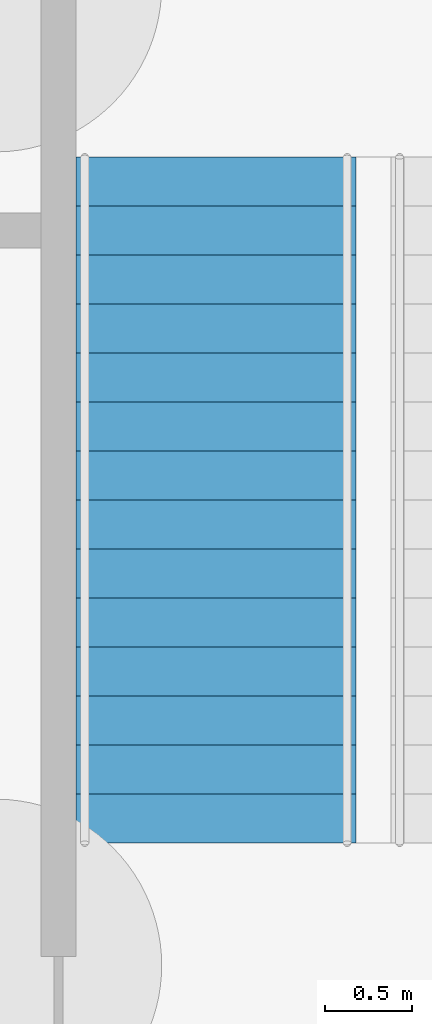
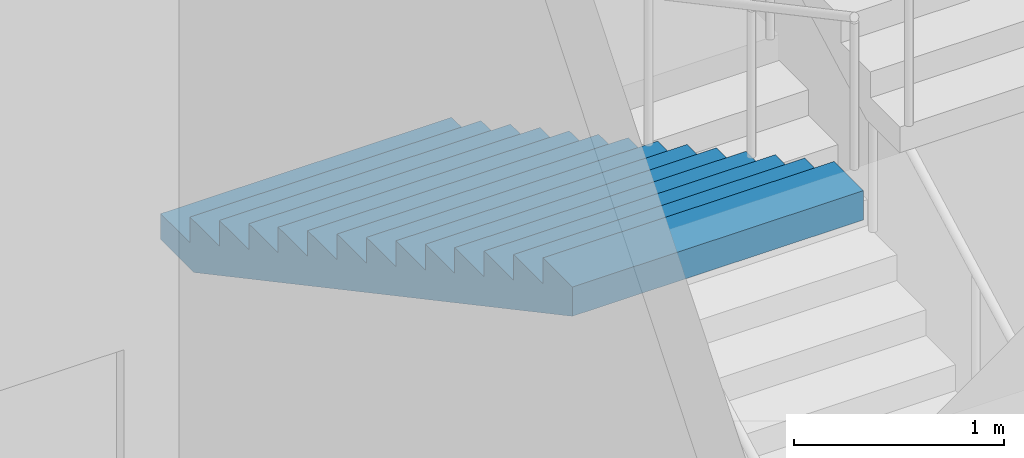
# One storey, part 104 of 113: 1 stair flight, 1 element without a shape of its own.
"""IFC4 building model written with IfcOpenShell, lengths in metres."""

import ifcopenshell
import ifcopenshell.guid

model = None  # the IFC model being written
_history = None  # IfcOwnerHistory: only IFC2X3 demands one
_inside = {}  # id of a spatial element -> (the spatial element, [elements in it])
_under = {}  # id of a project, library or spatial element -> (it, [spatial elements below it])
_declared = {}  # id of a project -> (the project, [libraries it declares])
_typed = {}  # id of a type object -> (the type object, [elements of that type])
_made_of = {}  # id of a material, layer set ... -> (it, [elements and type objects made of it])


def new_model(schema):
    """Start an empty IFC model of exactly this schema.

    Asked for "IFC4X3", IfcOpenShell would pick the latest addendum, in which some entities
    have other attributes; the version numbers below select the first issue.
    IFC2X3 requires an IfcOwnerHistory on every rooted entity: one is made here for all.
    """
    global model, _history
    if schema == "IFC4X3":
        model = ifcopenshell.file(schema_version=(4, 3, 0, 0))
    else:
        model = ifcopenshell.file(schema=schema)
    _inside.clear()
    _under.clear()
    _declared.clear()
    _typed.clear()
    _made_of.clear()
    _history = None
    if model.schema == "IFC2X3":
        org = make("IfcOrganization", Name="unknown")
        user = make(
            "IfcPersonAndOrganization",
            ThePerson=make("IfcPerson", FamilyName="unknown"),
            TheOrganization=org,
        )
        app = make(
            "IfcApplication",
            ApplicationDeveloper=org,
            Version="unknown",
            ApplicationFullName="unknown",
            ApplicationIdentifier="unknown",
        )
        _history = make(
            "IfcOwnerHistory",
            OwningUser=user,
            OwningApplication=app,
            ChangeAction="ADDED",
            CreationDate=0,
        )
    return model


def make(cls, **values):
    """One entity of the class cls with the attributes given. An attribute that is None is left unset."""
    return model.create_entity(
        cls, **{name: value for name, value in values.items() if value is not None}
    )


def rooted(cls, **values):
    """An entity with a GlobalId (a new one), such as an element, a storey or a relation."""
    return make(cls, GlobalId=ifcopenshell.guid.new(), OwnerHistory=_history, **values)


def si_unit(unit_type, name, prefix=None):
    """IfcSIUnit, for example si_unit("LENGTHUNIT", "METRE", prefix="MILLI")."""
    return make("IfcSIUnit", UnitType=unit_type, Prefix=prefix, Name=name)


def assignment(units):
    """IfcUnitAssignment: the units of a project."""
    return None if units is None else make("IfcUnitAssignment", Units=units)


def point(xyz):
    """IfcCartesianPoint."""
    return None if xyz is None else make("IfcCartesianPoint", Coordinates=xyz)


def direction(xyz):
    """IfcDirection."""
    return None if xyz is None else make("IfcDirection", DirectionRatios=xyz)


def frame(location, z_axis=None, x_axis=None):
    """IfcAxis2Placement3D, a coordinate frame: its origin and axes. An axis left out is left unset."""
    return make(
        "IfcAxis2Placement3D",
        Location=point(location),
        Axis=direction(z_axis),
        RefDirection=direction(x_axis),
    )


def origin():
    """The frame at (0, 0, 0) with its axes left unset."""
    return frame((0.0, 0.0, 0.0))


def place(relative_to, where):
    """IfcLocalPlacement: puts the frame where relative to a parent placement (None: the world)."""
    return make(
        "IfcLocalPlacement", PlacementRelTo=relative_to, RelativePlacement=where
    )


def context(
    kind, dimensions, precision=None, world=None, true_north=None, identifier=None
):
    """IfcGeometricRepresentationContext, for example the 3D "Model" context."""
    return make(
        "IfcGeometricRepresentationContext",
        ContextIdentifier=identifier,
        ContextType=kind,
        CoordinateSpaceDimension=dimensions,
        Precision=precision,
        WorldCoordinateSystem=world,
        TrueNorth=true_north,
    )


def subcontext(parent, identifier, kind, view, scale=None):
    """IfcGeometricRepresentationSubContext, for example "Body" below "Model"."""
    return make(
        "IfcGeometricRepresentationSubContext",
        ContextIdentifier=identifier,
        ContextType=kind,
        ParentContext=parent,
        TargetScale=scale,
        TargetView=view,
    )


def project(units=None, contexts=None):
    """IfcProject with its units and contexts."""
    return rooted(
        "IfcProject",
        Name="project",
        RepresentationContexts=contexts,
        UnitsInContext=assignment(units),
    )


def spatial(cls, under=None, at=None, **own):
    """A site, building, storey or space (cls), placed at a placement, below another one or the project."""
    s = rooted(cls, ObjectPlacement=at, **own)
    if under is not None:
        _under.setdefault(under.id(), (under, []))[1].append(s)
    return s


def point_list(points):
    """IfcCartesianPointList2D or 3D."""
    cls = (
        "IfcCartesianPointList2D" if len(points[0]) == 2 else "IfcCartesianPointList3D"
    )
    return make(cls, CoordList=points)


def triangles(points, corners, closed=None, point_numbers=None):
    """IfcTriangulatedFaceSet: each triangle names its three corners, points numbered from 1."""
    return make(
        "IfcTriangulatedFaceSet",
        Coordinates=point_list(points),
        Closed=closed,
        CoordIndex=corners,
        PnIndex=point_numbers,
    )


def shape(context_of_items, identifier, shape_type, items):
    """IfcShapeRepresentation: the items that make up one representation, for example the "Body"."""
    return make(
        "IfcShapeRepresentation",
        ContextOfItems=context_of_items,
        RepresentationIdentifier=identifier,
        RepresentationType=shape_type,
        Items=items,
    )


def material(Name=None, Category=None):
    """IfcMaterial."""
    return make("IfcMaterial", Name=Name, Category=Category)


def made_of(thing, what):
    """Note that an element or type object is made of a material, layer set ...; save() writes the relation."""
    if what is not None:
        _made_of.setdefault(what.id(), (what, []))[1].append(thing)
    return thing


def type_object(cls, material=None, **own):
    """A type object (cls), such as IfcWallType, which elements share."""
    return made_of(rooted(cls, **own), material)


def element(
    cls,
    number,
    at=None,
    inside=None,
    cuts=None,
    type_object=None,
    material=None,
    context=None,
    identifier="Body",
    shape_type=None,
    held_by="IfcProductDefinitionShape",
    body=None,
    shapes=None,
    **own,
):
    """One element of the class cls, such as IfcWall. Its Tag is "e" and its number.

    at: its placement. inside: the storey or other place that contains it. cuts: it is an
    opening in that element (IfcRelVoidsElement). A single representation is given by context,
    identifier, shape_type and body (its items); several are given by shapes. held_by: the class
    of the entity that holds the representations. save() writes the other relations.
    """
    e = rooted(cls, Tag="e%d" % number, ObjectPlacement=at, **own)
    if body is not None:
        shapes = [shape(context, identifier, shape_type, body)]
    if shapes is not None:
        e.Representation = make(held_by, Representations=shapes)
    if inside is not None:
        _inside.setdefault(inside.id(), (inside, []))[1].append(e)
    if cuts is not None:
        rooted(
            "IfcRelVoidsElement", RelatingBuildingElement=cuts, RelatedOpeningElement=e
        )
    if type_object is not None:
        _typed.setdefault(type_object.id(), (type_object, []))[1].append(e)
    return made_of(e, material)


def aggregate(whole, parts):
    """IfcRelAggregates: a whole, such as a stair, and the parts it consists of."""
    return rooted("IfcRelAggregates", RelatingObject=whole, RelatedObjects=parts)


def save(model, path):
    """Write the relations noted so far, then the file.

    IfcRelAggregates (storeys below a building ...), IfcRelContainedInSpatialStructure (elements
    in a storey), IfcRelDefinesByType, IfcRelAssociatesMaterial and IfcRelDeclares: one each for
    every whole, place, type object, material and project.
    """
    for whole, parts in _under.values():
        aggregate(whole, parts)
    for where, things in _inside.values():
        rooted(
            "IfcRelContainedInSpatialStructure",
            RelatedElements=things,
            RelatingStructure=where,
        )
    for kind, things in _typed.values():
        rooted("IfcRelDefinesByType", RelatedObjects=things, RelatingType=kind)
    for what, things in _made_of.values():
        rooted("IfcRelAssociatesMaterial", RelatedObjects=things, RelatingMaterial=what)
    for by, libraries in _declared.values():
        rooted("IfcRelDeclares", RelatingContext=by, RelatedDefinitions=libraries)
    model.write(path)


model = new_model("IFC4")

# Units and contexts
model_context = context("Model", 3, precision=1e-05, world=origin(), true_north=direction((0.0, 1.0)))
body_context = subcontext(model_context, "Body", "Model", "MODEL_VIEW")
ifc_project = project(units=[si_unit("LENGTHUNIT", "METRE"), si_unit("AREAUNIT", "SQUARE_METRE"), si_unit("VOLUMEUNIT", "CUBIC_METRE"), si_unit("PLANEANGLEUNIT", "RADIAN"), si_unit("MASSUNIT", "GRAM", prefix="KILO")], contexts=[model_context])

# Site, building, storey
site_placement = place(None, origin())
site = spatial("IfcSite", under=ifc_project, at=site_placement, CompositionType="ELEMENT")
building_placement = place(site_placement, origin())
building = spatial("IfcBuilding", under=site, at=building_placement, Name="Hakoniwa Tower and Hamabe Station Hall", CompositionType="ELEMENT")
storey_placement = place(building_placement, origin())
storey = spatial("IfcBuildingStorey", under=building, at=storey_placement, Name="L01", CompositionType="ELEMENT", Elevation=0.0)

# Stair, stair flight
ifc_material_1 = material(Name="Concrete C40", Category="concrete")
stair_type = type_object("IfcStairType", Name="STAIR 1600 15X150", PredefinedType="HALF_TURN_STAIR", material=ifc_material_1)
stair_placement = place(storey_placement, origin())
stair = element("IfcStair", 1, at=stair_placement, inside=storey, type_object=stair_type, Name="Escape stair SS2 L01", PredefinedType="HALF_TURN_STAIR")
ifc_material_2 = material(Name="Concrete C40", Category="concrete")
stair_flight_type = type_object("IfcStairFlightType", Name="STAIR FLIGHT 1600", PredefinedType="STRAIGHT", material=ifc_material_2)
stair_flight_placement = place(storey_placement, frame((165.85009765625, 20.820068359375, 2.25), z_axis=(0.0, 0.0, 1.0), x_axis=(0.0, -1.0, 0.0)))
stair_flight = element("IfcStairFlight", 2, at=stair_flight_placement, type_object=stair_flight_type, Name="SS2 flight 2", NumberOfRisers=15, NumberOfTreads=14, PredefinedType="STRAIGHT", RiserHeight=0.15, TreadLength=0.28, context=body_context, shape_type="Tessellation", body=[
    triangles([(0.0, 0.800048828125, 0.0), (0.280029296875, 0.800048828125, 0.0), (0.3173828125, 0.800048828125, 0.0), (0.56005859375, 0.800048828125, 0.1298828125), (0.840087890625, 0.800048828125, 0.280029296875), (1.1201171875, 0.800048828125, 0.429931640625), (1.39990234375, 0.800048828125, 0.579833984375), (1.679931640625, 0.800048828125, 0.72998046875), (1.9599609375, 0.800048828125, 0.8798828125), (2.239990234375, 0.800048828125, 1.030029296875), (2.52001953125, 0.800048828125, 1.179931640625), (2.800048828125, 0.800048828125, 1.329833984375), (3.080078125, 0.800048828125, 1.47998046875), (3.360107421875, 0.800048828125, 1.6298828125), (3.639892578125, 0.800048828125, 1.780029296875), (3.919921875, 0.800048828125, 1.929931640625), (3.919921875, 0.800048828125, 2.10009765625), (3.639892578125, 0.800048828125, 2.10009765625), (3.639892578125, 0.800048828125, 1.949951171875), (3.360107421875, 0.800048828125, 1.949951171875), (3.360107421875, 0.800048828125, 1.800048828125), (3.080078125, 0.800048828125, 1.800048828125), (3.080078125, 0.800048828125, 1.64990234375), (2.800048828125, 0.800048828125, 1.64990234375), (2.800048828125, 0.800048828125, 1.5), (2.52001953125, 0.800048828125, 1.5), (2.52001953125, 0.800048828125, 1.35009765625), (2.239990234375, 0.800048828125, 1.35009765625), (2.239990234375, 0.800048828125, 1.199951171875), (1.9599609375, 0.800048828125, 1.199951171875), (1.9599609375, 0.800048828125, 1.050048828125), (1.679931640625, 0.800048828125, 1.050048828125), (1.679931640625, 0.800048828125, 0.89990234375), (1.39990234375, 0.800048828125, 0.89990234375), (1.39990234375, 0.800048828125, 0.75), (1.1201171875, 0.800048828125, 0.75), (1.1201171875, 0.800048828125, 0.60009765625), (0.840087890625, 0.800048828125, 0.60009765625), (0.840087890625, 0.800048828125, 0.449951171875), (0.56005859375, 0.800048828125, 0.449951171875), (0.56005859375, 0.800048828125, 0.300048828125), (0.3173828125, 0.800048828125, 0.300048828125), (0.280029296875, 0.800048828125, 0.300048828125), (0.280029296875, 0.800048828125, 0.14990234375), (0.0, 0.800048828125, 0.14990234375), (0.0, 0.06005859375, 0.0), (0.280029296875, 0.06005859375, 0.0), (0.3173828125, 0.06005859375, 0.0), (0.56005859375, 0.06005859375, 0.1298828125), (0.840087890625, 0.06005859375, 0.280029296875), (1.1201171875, 0.06005859375, 0.429931640625), (1.39990234375, 0.06005859375, 0.579833984375), (1.679931640625, 0.06005859375, 0.72998046875), (1.9599609375, 0.06005859375, 0.8798828125), (2.239990234375, 0.06005859375, 1.030029296875), (2.52001953125, 0.06005859375, 1.179931640625), (2.800048828125, 0.06005859375, 1.329833984375), (3.080078125, 0.06005859375, 1.47998046875), (3.360107421875, 0.06005859375, 1.6298828125), (3.639892578125, 0.06005859375, 1.780029296875), (3.919921875, 0.06005859375, 1.929931640625), (3.919921875, 0.06005859375, 2.10009765625), (3.639892578125, 0.06005859375, 2.10009765625), (3.639892578125, 0.06005859375, 1.949951171875), (3.360107421875, 0.06005859375, 1.949951171875), (3.360107421875, 0.06005859375, 1.800048828125), (3.080078125, 0.06005859375, 1.800048828125), (3.080078125, 0.06005859375, 1.64990234375), (2.800048828125, 0.06005859375, 1.64990234375), (2.800048828125, 0.06005859375, 1.5), (2.52001953125, 0.06005859375, 1.5), (2.52001953125, 0.06005859375, 1.35009765625), (2.239990234375, 0.06005859375, 1.35009765625), (2.239990234375, 0.06005859375, 1.199951171875), (1.9599609375, 0.06005859375, 1.199951171875), (1.9599609375, 0.06005859375, 1.050048828125), (1.679931640625, 0.06005859375, 1.050048828125), (1.679931640625, 0.06005859375, 0.89990234375), (1.39990234375, 0.06005859375, 0.89990234375), (1.39990234375, 0.06005859375, 0.75), (1.1201171875, 0.06005859375, 0.75), (1.1201171875, 0.06005859375, 0.60009765625), (0.840087890625, 0.06005859375, 0.60009765625), (0.840087890625, 0.06005859375, 0.449951171875), (0.56005859375, 0.06005859375, 0.449951171875), (0.56005859375, 0.06005859375, 0.300048828125), (0.3173828125, 0.06005859375, 0.300048828125), (0.280029296875, 0.06005859375, 0.300048828125), (0.280029296875, 0.06005859375, 0.14990234375), (0.0, 0.06005859375, 0.14990234375), (0.0, 0.02001953125, 0.0), (0.280029296875, 0.02001953125, 0.0), (0.3173828125, 0.02001953125, 0.0), (0.56005859375, 0.02001953125, 0.1298828125), (0.840087890625, 0.02001953125, 0.280029296875), (1.1201171875, 0.02001953125, 0.429931640625), (1.39990234375, 0.02001953125, 0.579833984375), (1.679931640625, 0.02001953125, 0.72998046875), (1.9599609375, 0.02001953125, 0.8798828125), (2.239990234375, 0.02001953125, 1.030029296875), (2.52001953125, 0.02001953125, 1.179931640625), (2.800048828125, 0.02001953125, 1.329833984375), (3.080078125, 0.02001953125, 1.47998046875), (3.360107421875, 0.02001953125, 1.6298828125), (3.639892578125, 0.02001953125, 1.780029296875), (3.919921875, 0.02001953125, 1.929931640625), (3.919921875, 0.02001953125, 2.10009765625), (3.639892578125, 0.02001953125, 2.10009765625), (3.639892578125, 0.02001953125, 1.949951171875), (3.360107421875, 0.02001953125, 1.949951171875), (3.360107421875, 0.02001953125, 1.800048828125), (3.080078125, 0.02001953125, 1.800048828125), (3.080078125, 0.02001953125, 1.64990234375), (2.800048828125, 0.02001953125, 1.64990234375), (2.800048828125, 0.02001953125, 1.5), (2.52001953125, 0.02001953125, 1.5), (2.52001953125, 0.02001953125, 1.35009765625), (2.239990234375, 0.02001953125, 1.35009765625), (2.239990234375, 0.02001953125, 1.199951171875), (1.9599609375, 0.02001953125, 1.199951171875), (1.9599609375, 0.02001953125, 1.050048828125), (1.679931640625, 0.02001953125, 1.050048828125), (1.679931640625, 0.02001953125, 0.89990234375), (1.39990234375, 0.02001953125, 0.89990234375), (1.39990234375, 0.02001953125, 0.75), (1.1201171875, 0.02001953125, 0.75), (1.1201171875, 0.02001953125, 0.60009765625), (0.840087890625, 0.02001953125, 0.60009765625), (0.840087890625, 0.02001953125, 0.449951171875), (0.56005859375, 0.02001953125, 0.449951171875), (0.56005859375, 0.02001953125, 0.300048828125), (0.3173828125, 0.02001953125, 0.300048828125), (0.280029296875, 0.02001953125, 0.300048828125), (0.280029296875, 0.02001953125, 0.14990234375), (0.0, 0.02001953125, 0.14990234375), (0.0, -0.02001953125, 0.0), (0.280029296875, -0.02001953125, 0.0), (0.3173828125, -0.02001953125, 0.0), (0.56005859375, -0.02001953125, 0.1298828125), (0.840087890625, -0.02001953125, 0.280029296875), (1.1201171875, -0.02001953125, 0.429931640625), (1.39990234375, -0.02001953125, 0.579833984375), (1.679931640625, -0.02001953125, 0.72998046875), (1.9599609375, -0.02001953125, 0.8798828125), (2.239990234375, -0.02001953125, 1.030029296875), (2.52001953125, -0.02001953125, 1.179931640625), (2.800048828125, -0.02001953125, 1.329833984375), (3.080078125, -0.02001953125, 1.47998046875), (3.360107421875, -0.02001953125, 1.6298828125), (3.639892578125, -0.02001953125, 1.780029296875), (3.919921875, -0.02001953125, 1.929931640625), (3.919921875, -0.02001953125, 2.10009765625), (3.639892578125, -0.02001953125, 2.10009765625), (3.639892578125, -0.02001953125, 1.949951171875), (3.360107421875, -0.02001953125, 1.949951171875), (3.360107421875, -0.02001953125, 1.800048828125), (3.080078125, -0.02001953125, 1.800048828125), (3.080078125, -0.02001953125, 1.64990234375), (2.800048828125, -0.02001953125, 1.64990234375), (2.800048828125, -0.02001953125, 1.5), (2.52001953125, -0.02001953125, 1.5), (2.52001953125, -0.02001953125, 1.35009765625), (2.239990234375, -0.02001953125, 1.35009765625), (2.239990234375, -0.02001953125, 1.199951171875), (1.9599609375, -0.02001953125, 1.199951171875), (1.9599609375, -0.02001953125, 1.050048828125), (1.679931640625, -0.02001953125, 1.050048828125), (1.679931640625, -0.02001953125, 0.89990234375), (1.39990234375, -0.02001953125, 0.89990234375), (1.39990234375, -0.02001953125, 0.75), (1.1201171875, -0.02001953125, 0.75), (1.1201171875, -0.02001953125, 0.60009765625), (0.840087890625, -0.02001953125, 0.60009765625), (0.840087890625, -0.02001953125, 0.449951171875), (0.56005859375, -0.02001953125, 0.449951171875), (0.56005859375, -0.02001953125, 0.300048828125), (0.3173828125, -0.02001953125, 0.300048828125), (0.280029296875, -0.02001953125, 0.300048828125), (0.280029296875, -0.02001953125, 0.14990234375), (0.0, -0.02001953125, 0.14990234375), (0.0, -0.06005859375, 0.0), (0.280029296875, -0.06005859375, 0.0), (0.3173828125, -0.06005859375, 0.0), (0.56005859375, -0.06005859375, 0.1298828125), (0.840087890625, -0.06005859375, 0.280029296875), (1.1201171875, -0.06005859375, 0.429931640625), (1.39990234375, -0.06005859375, 0.579833984375), (1.679931640625, -0.06005859375, 0.72998046875), (1.9599609375, -0.06005859375, 0.8798828125), (2.239990234375, -0.06005859375, 1.030029296875), (2.52001953125, -0.06005859375, 1.179931640625), (2.800048828125, -0.06005859375, 1.329833984375), (3.080078125, -0.06005859375, 1.47998046875), (3.360107421875, -0.06005859375, 1.6298828125), (3.639892578125, -0.06005859375, 1.780029296875), (3.919921875, -0.06005859375, 1.929931640625), (3.919921875, -0.06005859375, 2.10009765625), (3.639892578125, -0.06005859375, 2.10009765625), (3.639892578125, -0.06005859375, 1.949951171875), (3.360107421875, -0.06005859375, 1.949951171875), (3.360107421875, -0.06005859375, 1.800048828125), (3.080078125, -0.06005859375, 1.800048828125), (3.080078125, -0.06005859375, 1.64990234375), (2.800048828125, -0.06005859375, 1.64990234375), (2.800048828125, -0.06005859375, 1.5), (2.52001953125, -0.06005859375, 1.5), (2.52001953125, -0.06005859375, 1.35009765625), (2.239990234375, -0.06005859375, 1.35009765625), (2.239990234375, -0.06005859375, 1.199951171875), (1.9599609375, -0.06005859375, 1.199951171875), (1.9599609375, -0.06005859375, 1.050048828125), (1.679931640625, -0.06005859375, 1.050048828125), (1.679931640625, -0.06005859375, 0.89990234375), (1.39990234375, -0.06005859375, 0.89990234375), (1.39990234375, -0.06005859375, 0.75), (1.1201171875, -0.06005859375, 0.75), (1.1201171875, -0.06005859375, 0.60009765625), (0.840087890625, -0.06005859375, 0.60009765625), (0.840087890625, -0.06005859375, 0.449951171875), (0.56005859375, -0.06005859375, 0.449951171875), (0.56005859375, -0.06005859375, 0.300048828125), (0.3173828125, -0.06005859375, 0.300048828125), (0.280029296875, -0.06005859375, 0.300048828125), (0.280029296875, -0.06005859375, 0.14990234375), (0.0, -0.06005859375, 0.14990234375), (0.0, -0.800048828125, 0.0), (0.280029296875, -0.800048828125, 0.0), (0.3173828125, -0.800048828125, 0.0), (0.56005859375, -0.800048828125, 0.1298828125), (0.840087890625, -0.800048828125, 0.280029296875), (1.1201171875, -0.800048828125, 0.429931640625), (1.39990234375, -0.800048828125, 0.579833984375), (1.679931640625, -0.800048828125, 0.72998046875), (1.9599609375, -0.800048828125, 0.8798828125), (2.239990234375, -0.800048828125, 1.030029296875), (2.52001953125, -0.800048828125, 1.179931640625), (2.800048828125, -0.800048828125, 1.329833984375), (3.080078125, -0.800048828125, 1.47998046875), (3.360107421875, -0.800048828125, 1.6298828125), (3.639892578125, -0.800048828125, 1.780029296875), (3.919921875, -0.800048828125, 1.929931640625), (3.919921875, -0.800048828125, 2.10009765625), (3.639892578125, -0.800048828125, 2.10009765625), (3.639892578125, -0.800048828125, 1.949951171875), (3.360107421875, -0.800048828125, 1.949951171875), (3.360107421875, -0.800048828125, 1.800048828125), (3.080078125, -0.800048828125, 1.800048828125), (3.080078125, -0.800048828125, 1.64990234375), (2.800048828125, -0.800048828125, 1.64990234375), (2.800048828125, -0.800048828125, 1.5), (2.52001953125, -0.800048828125, 1.5), (2.52001953125, -0.800048828125, 1.35009765625), (2.239990234375, -0.800048828125, 1.35009765625), (2.239990234375, -0.800048828125, 1.199951171875), (1.9599609375, -0.800048828125, 1.199951171875), (1.9599609375, -0.800048828125, 1.050048828125), (1.679931640625, -0.800048828125, 1.050048828125), (1.679931640625, -0.800048828125, 0.89990234375), (1.39990234375, -0.800048828125, 0.89990234375), (1.39990234375, -0.800048828125, 0.75), (1.1201171875, -0.800048828125, 0.75), (1.1201171875, -0.800048828125, 0.60009765625), (0.840087890625, -0.800048828125, 0.60009765625), (0.840087890625, -0.800048828125, 0.449951171875), (0.56005859375, -0.800048828125, 0.449951171875), (0.56005859375, -0.800048828125, 0.300048828125), (0.3173828125, -0.800048828125, 0.300048828125), (0.280029296875, -0.800048828125, 0.300048828125), (0.280029296875, -0.800048828125, 0.14990234375), (0.0, -0.800048828125, 0.14990234375)], [[2, 45, 44], [227, 269, 270], [2, 1, 45], [227, 270, 226], [3, 43, 42], [228, 267, 268], [3, 44, 43], [228, 268, 269], [3, 2, 44], [228, 269, 227], [4, 42, 41], [229, 266, 267], [4, 3, 42], [229, 267, 228], [5, 40, 39], [230, 264, 265], [5, 41, 40], [230, 265, 266], [5, 4, 41], [230, 266, 229], [6, 38, 37], [231, 262, 263], [6, 39, 38], [231, 263, 264], [6, 5, 39], [231, 264, 230], [7, 36, 35], [232, 260, 261], [7, 37, 36], [232, 261, 262], [7, 6, 37], [232, 262, 231], [8, 34, 33], [233, 258, 259], [8, 35, 34], [233, 259, 260], [8, 7, 35], [233, 260, 232], [9, 32, 31], [234, 256, 257], [9, 33, 32], [234, 257, 258], [9, 8, 33], [234, 258, 233], [10, 30, 29], [235, 254, 255], [10, 31, 30], [235, 255, 256], [10, 9, 31], [235, 256, 234], [11, 28, 27], [236, 252, 253], [11, 29, 28], [236, 253, 254], [11, 10, 29], [236, 254, 235], [12, 26, 25], [237, 250, 251], [12, 27, 26], [237, 251, 252], [12, 11, 27], [237, 252, 236], [13, 24, 23], [238, 248, 249], [13, 25, 24], [238, 249, 250], [13, 12, 25], [238, 250, 237], [14, 22, 21], [239, 246, 247], [14, 23, 22], [239, 247, 248], [14, 13, 23], [239, 248, 238], [15, 20, 19], [240, 244, 245], [15, 21, 20], [240, 245, 246], [15, 14, 21], [240, 246, 239], [16, 18, 17], [241, 242, 243], [16, 19, 18], [241, 243, 244], [16, 15, 19], [241, 244, 240], [1, 2, 47], [1, 47, 46], [46, 47, 92], [46, 92, 91], [91, 92, 137], [91, 137, 136], [136, 137, 182], [136, 182, 181], [181, 182, 227], [181, 227, 226], [2, 3, 48], [2, 48, 47], [47, 48, 93], [47, 93, 92], [92, 93, 138], [92, 138, 137], [137, 138, 183], [137, 183, 182], [182, 183, 228], [182, 228, 227], [3, 4, 49], [3, 49, 48], [48, 49, 94], [48, 94, 93], [93, 94, 139], [93, 139, 138], [138, 139, 184], [138, 184, 183], [183, 184, 229], [183, 229, 228], [4, 5, 50], [4, 50, 49], [49, 50, 95], [49, 95, 94], [94, 95, 140], [94, 140, 139], [139, 140, 185], [139, 185, 184], [184, 185, 230], [184, 230, 229], [5, 6, 51], [5, 51, 50], [50, 51, 96], [50, 96, 95], [95, 96, 141], [95, 141, 140], [140, 141, 186], [140, 186, 185], [185, 186, 231], [185, 231, 230], [6, 7, 52], [6, 52, 51], [51, 52, 97], [51, 97, 96], [96, 97, 142], [96, 142, 141], [141, 142, 187], [141, 187, 186], [186, 187, 232], [186, 232, 231], [7, 8, 53], [7, 53, 52], [52, 53, 98], [52, 98, 97], [97, 98, 143], [97, 143, 142], [142, 143, 188], [142, 188, 187], [187, 188, 233], [187, 233, 232], [8, 9, 54], [8, 54, 53], [53, 54, 99], [53, 99, 98], [98, 99, 144], [98, 144, 143], [143, 144, 189], [143, 189, 188], [188, 189, 234], [188, 234, 233], [9, 10, 55], [9, 55, 54], [54, 55, 100], [54, 100, 99], [99, 100, 145], [99, 145, 144], [144, 145, 190], [144, 190, 189], [189, 190, 235], [189, 235, 234], [10, 11, 56], [10, 56, 55], [55, 56, 101], [55, 101, 100], [100, 101, 146], [100, 146, 145], [145, 146, 191], [145, 191, 190], [190, 191, 236], [190, 236, 235], [11, 12, 57], [11, 57, 56], [56, 57, 102], [56, 102, 101], [101, 102, 147], [101, 147, 146], [146, 147, 192], [146, 192, 191], [191, 192, 237], [191, 237, 236], [12, 13, 58], [12, 58, 57], [57, 58, 103], [57, 103, 102], [102, 103, 148], [102, 148, 147], [147, 148, 193], [147, 193, 192], [192, 193, 238], [192, 238, 237], [13, 14, 59], [13, 59, 58], [58, 59, 104], [58, 104, 103], [103, 104, 149], [103, 149, 148], [148, 149, 194], [148, 194, 193], [193, 194, 239], [193, 239, 238], [14, 15, 60], [14, 60, 59], [59, 60, 105], [59, 105, 104], [104, 105, 150], [104, 150, 149], [149, 150, 195], [149, 195, 194], [194, 195, 240], [194, 240, 239], [15, 16, 61], [15, 61, 60], [60, 61, 106], [60, 106, 105], [105, 106, 151], [105, 151, 150], [150, 151, 196], [150, 196, 195], [195, 196, 241], [195, 241, 240], [16, 17, 62], [16, 62, 61], [61, 62, 107], [61, 107, 106], [106, 107, 152], [106, 152, 151], [151, 152, 197], [151, 197, 196], [196, 197, 242], [196, 242, 241], [17, 18, 63], [17, 63, 62], [62, 63, 108], [62, 108, 107], [107, 108, 153], [107, 153, 152], [152, 153, 198], [152, 198, 197], [197, 198, 243], [197, 243, 242], [18, 19, 64], [18, 64, 63], [63, 64, 109], [63, 109, 108], [108, 109, 154], [108, 154, 153], [153, 154, 199], [153, 199, 198], [198, 199, 244], [198, 244, 243], [19, 20, 65], [19, 65, 64], [64, 65, 110], [64, 110, 109], [109, 110, 155], [109, 155, 154], [154, 155, 200], [154, 200, 199], [199, 200, 245], [199, 245, 244], [20, 21, 66], [20, 66, 65], [65, 66, 111], [65, 111, 110], [110, 111, 156], [110, 156, 155], [155, 156, 201], [155, 201, 200], [200, 201, 246], [200, 246, 245], [21, 22, 67], [21, 67, 66], [66, 67, 112], [66, 112, 111], [111, 112, 157], [111, 157, 156], [156, 157, 202], [156, 202, 201], [201, 202, 247], [201, 247, 246], [22, 23, 68], [22, 68, 67], [67, 68, 113], [67, 113, 112], [112, 113, 158], [112, 158, 157], [157, 158, 203], [157, 203, 202], [202, 203, 248], [202, 248, 247], [23, 24, 69], [23, 69, 68], [68, 69, 114], [68, 114, 113], [113, 114, 159], [113, 159, 158], [158, 159, 204], [158, 204, 203], [203, 204, 249], [203, 249, 248], [24, 25, 70], [24, 70, 69], [69, 70, 115], [69, 115, 114], [114, 115, 160], [114, 160, 159], [159, 160, 205], [159, 205, 204], [204, 205, 250], [204, 250, 249], [25, 26, 71], [25, 71, 70], [70, 71, 116], [70, 116, 115], [115, 116, 161], [115, 161, 160], [160, 161, 206], [160, 206, 205], [205, 206, 251], [205, 251, 250], [26, 27, 72], [26, 72, 71], [71, 72, 117], [71, 117, 116], [116, 117, 162], [116, 162, 161], [161, 162, 207], [161, 207, 206], [206, 207, 252], [206, 252, 251], [27, 28, 73], [27, 73, 72], [72, 73, 118], [72, 118, 117], [117, 118, 163], [117, 163, 162], [162, 163, 208], [162, 208, 207], [207, 208, 253], [207, 253, 252], [28, 29, 74], [28, 74, 73], [73, 74, 119], [73, 119, 118], [118, 119, 164], [118, 164, 163], [163, 164, 209], [163, 209, 208], [208, 209, 254], [208, 254, 253], [29, 30, 75], [29, 75, 74], [74, 75, 120], [74, 120, 119], [119, 120, 165], [119, 165, 164], [164, 165, 210], [164, 210, 209], [209, 210, 255], [209, 255, 254], [30, 31, 76], [30, 76, 75], [75, 76, 121], [75, 121, 120], [120, 121, 166], [120, 166, 165], [165, 166, 211], [165, 211, 210], [210, 211, 256], [210, 256, 255], [31, 32, 77], [31, 77, 76], [76, 77, 122], [76, 122, 121], [121, 122, 167], [121, 167, 166], [166, 167, 212], [166, 212, 211], [211, 212, 257], [211, 257, 256], [32, 33, 78], [32, 78, 77], [77, 78, 123], [77, 123, 122], [122, 123, 168], [122, 168, 167], [167, 168, 213], [167, 213, 212], [212, 213, 258], [212, 258, 257], [33, 34, 79], [33, 79, 78], [78, 79, 124], [78, 124, 123], [123, 124, 169], [123, 169, 168], [168, 169, 214], [168, 214, 213], [213, 214, 259], [213, 259, 258], [34, 35, 80], [34, 80, 79], [79, 80, 125], [79, 125, 124], [124, 125, 170], [124, 170, 169], [169, 170, 215], [169, 215, 214], [214, 215, 260], [214, 260, 259], [35, 36, 81], [35, 81, 80], [80, 81, 126], [80, 126, 125], [125, 126, 171], [125, 171, 170], [170, 171, 216], [170, 216, 215], [215, 216, 261], [215, 261, 260], [36, 37, 82], [36, 82, 81], [81, 82, 127], [81, 127, 126], [126, 127, 172], [126, 172, 171], [171, 172, 217], [171, 217, 216], [216, 217, 262], [216, 262, 261], [37, 38, 83], [37, 83, 82], [82, 83, 128], [82, 128, 127], [127, 128, 173], [127, 173, 172], [172, 173, 218], [172, 218, 217], [217, 218, 263], [217, 263, 262], [38, 39, 84], [38, 84, 83], [83, 84, 129], [83, 129, 128], [128, 129, 174], [128, 174, 173], [173, 174, 219], [173, 219, 218], [218, 219, 264], [218, 264, 263], [39, 40, 85], [39, 85, 84], [84, 85, 130], [84, 130, 129], [129, 130, 175], [129, 175, 174], [174, 175, 220], [174, 220, 219], [219, 220, 265], [219, 265, 264], [40, 41, 86], [40, 86, 85], [85, 86, 131], [85, 131, 130], [130, 131, 176], [130, 176, 175], [175, 176, 221], [175, 221, 220], [220, 221, 266], [220, 266, 265], [41, 42, 87], [41, 87, 86], [86, 87, 132], [86, 132, 131], [131, 132, 177], [131, 177, 176], [176, 177, 222], [176, 222, 221], [221, 222, 267], [221, 267, 266], [42, 43, 88], [42, 88, 87], [87, 88, 133], [87, 133, 132], [132, 133, 178], [132, 178, 177], [177, 178, 223], [177, 223, 222], [222, 223, 268], [222, 268, 267], [43, 44, 89], [43, 89, 88], [88, 89, 134], [88, 134, 133], [133, 134, 179], [133, 179, 178], [178, 179, 224], [178, 224, 223], [223, 224, 269], [223, 269, 268], [44, 45, 90], [44, 90, 89], [89, 90, 135], [89, 135, 134], [134, 135, 180], [134, 180, 179], [179, 180, 225], [179, 225, 224], [224, 225, 270], [224, 270, 269], [45, 1, 46], [45, 46, 90], [90, 46, 91], [90, 91, 135], [135, 91, 136], [135, 136, 180], [180, 136, 181], [180, 181, 225], [225, 181, 226], [225, 226, 270]], closed=True),
])
aggregate(stair, [stair_flight])

save(model, "model.ifc")
